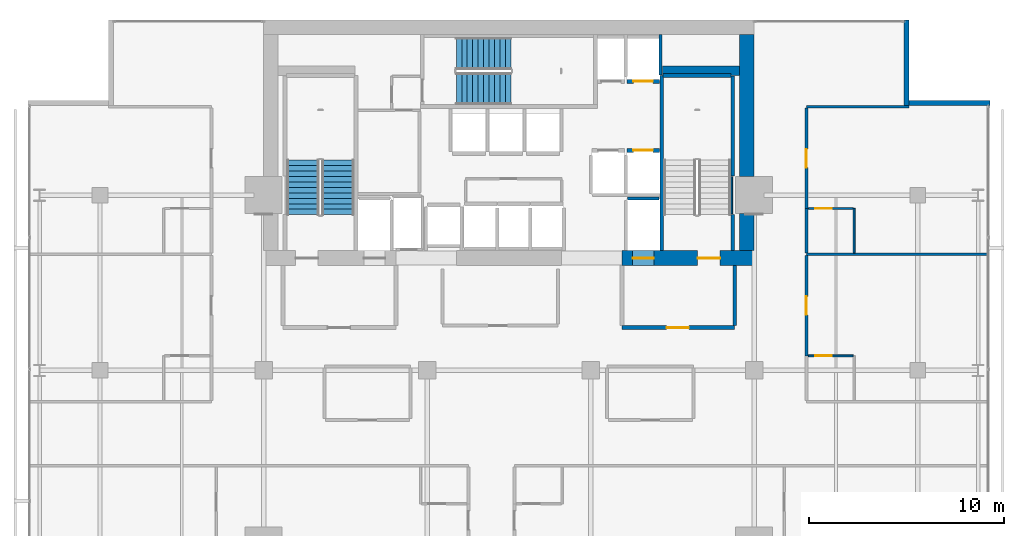
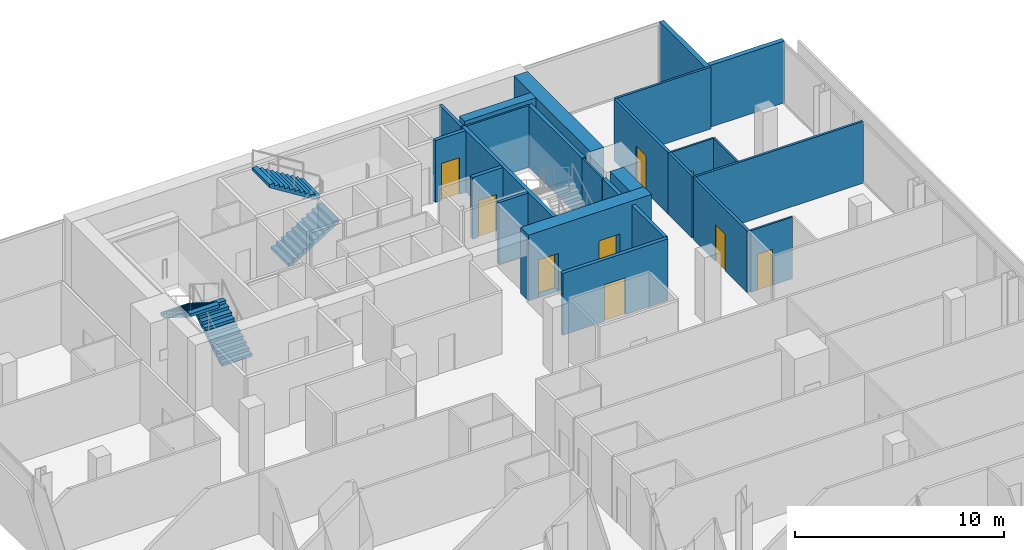
# One storey, part 31 of 34: 25 walls, 9 doors, 4 stair flights, 9 openings, 2 elements without a shape of their own.
"""IFC4 building model written with IfcOpenShell, lengths in metres."""

from ifc_helpers import new_model, si_unit, direction, frame, frame_2d, origin, place, context, subcontext, project, spatial, polyline, rectangle, outline, extrude, material, layer, layer_set, type_object, element, fill, aggregate, save


model = new_model("IFC4")

# Units and contexts
model_context = context("Model", 3, precision=1e-05, world=origin(), true_north=direction((0.0, 1.0)))
body_context = subcontext(model_context, "Body", "Model", "MODEL_VIEW")
ifc_project = project(units=[si_unit("LENGTHUNIT", "METRE"), si_unit("AREAUNIT", "SQUARE_METRE"), si_unit("VOLUMEUNIT", "CUBIC_METRE"), si_unit("PLANEANGLEUNIT", "RADIAN"), si_unit("MASSUNIT", "GRAM", prefix="KILO")], contexts=[model_context])

# Site, building, storey
site_placement = place(None, origin())
site = spatial("IfcSite", under=ifc_project, at=site_placement, CompositionType="ELEMENT")
building_placement = place(site_placement, origin())
building = spatial("IfcBuilding", under=site, at=building_placement, Name="Maruvema Waterfront Hotel and Observation Tower", CompositionType="ELEMENT")
storey_placement = place(building_placement, frame((0.0, 0.0, 185.14990234375)))
storey = spatial("IfcBuildingStorey", under=building, at=storey_placement, Name="L45", CompositionType="ELEMENT", Elevation=185.14990234375)

# Wall, opening, door
ifc_material_1 = material(Name="Twin-stud acoustic gypsum drywall", Category="gypsum")
ifc_layer_1 = layer(ifc_material_1, 0.14990234375, Name="Acoustic Corridor and Suite Demising Wall 150 mm")
ifc_layer_set_1 = layer_set([ifc_layer_1], Name="Twin-stud acoustic gypsum drywall")
wall_type_1 = type_object("IfcWallType", Name="Acoustic Corridor and Suite Demising Wall 150 mm", PredefinedType="PARTITIONING", material=ifc_layer_set_1)
wall_1_placement = place(storey_placement, frame((53.080078125, 36.75, 0.0), z_axis=(0.0, 0.0, 1.0), x_axis=(0.0, 1.0, 0.0)))
wall_1 = element("IfcWall", 1, at=wall_1_placement, inside=storey, type_object=wall_type_1, Name="L45 Room L45-NE1 Corridor Wall 117", PredefinedType="PARTITIONING", context=body_context, shape_type="SweptSolid", body=[
    extrude(rectangle(XDim=5.15869140625, YDim=0.14990234375, at=frame_2d((2.579345703125, 0.0))), origin(), (0.0, 0.0, 1.0), 3.610107421875),
])
opening_1_placement = place(wall_1_placement, frame((2.1044921875, 0.0, 0.0)))
opening_1 = element("IfcOpeningElement", 2, at=opening_1_placement, cuts=wall_1, Name="Opening DR-095", PredefinedType="OPENING", context=body_context, shape_type="SweptSolid", body=[
    extrude(rectangle(XDim=0.949951171875, YDim=2.14990234375, at=frame_2d((0.47509765625, 1.074951171875))), frame((0.0, 0.0849609375, 0.0), z_axis=(0.0, -1.0, 0.0), x_axis=(1.0, 0.0, 0.0)), (0.0, 0.0, 1.0), 0.169921875),
])
ifc_material_2 = material(Name="Acoustic solid-core hardwood timber leaf", Category="wood")
door_type_1 = type_object("IfcDoorType", Name="Guestroom Entrance Fire Door 950x2150 mm", OperationType="NOTDEFINED", PredefinedType="DOOR", material=ifc_material_2)
door_1_placement = place(opening_1_placement, frame((0.949951171875, 0.0, 0.0), z_axis=(0.0, 0.0, 1.0), x_axis=(-1.0, 0.0, 0.0)))
door_1 = element("IfcDoor", 3, at=door_1_placement, inside=storey, type_object=door_type_1, Name="L45 Room L45-NE1 Entrance Door", OperationType="SINGLE_SWING_RIGHT", OverallHeight=2.14990234375, OverallWidth=0.949951171875, PredefinedType="DOOR", context=body_context, shape_type="SweptSolid", body=[
    extrude(rectangle(XDim=0.949951171875, YDim=2.14990234375, at=frame_2d((0.47509765625, 1.074951171875))), frame((0.0, 0.02490234375, 0.0), z_axis=(0.0, -1.0, 0.0), x_axis=(1.0, 0.0, 0.0)), (0.0, 0.0, 1.0), 0.050048828125),
])
fill(opening_1, door_1)

# Wall
wall_2_placement = place(storey_placement, frame((53.080078125, 42.02880859375, 0.0), z_axis=(0.0, 0.0, 1.0), x_axis=(0.0, 1.0, 0.0)))
element("IfcWall", 4, at=wall_2_placement, inside=storey, type_object=wall_type_1, Name="L45 Bath L45-NE2 Wall 126", PredefinedType="PARTITIONING", context=body_context, shape_type="SweptSolid", body=[
    extrude(rectangle(XDim=2.2900390625, YDim=0.14990234375, at=frame_2d((1.14501953125, 0.0))), origin(), (0.0, 0.0, 1.0), 3.610107421875),
])

# Wall, opening, door
wall_3_placement = place(storey_placement, frame((53.080078125, 44.31884765625, 0.0), z_axis=(0.0, 0.0, 1.0), x_axis=(0.0, 1.0, 0.0)))
wall_3 = element("IfcWall", 5, at=wall_3_placement, inside=storey, type_object=wall_type_1, Name="L45 Room L45-NE2 Corridor Wall 127", PredefinedType="PARTITIONING", context=body_context, shape_type="SweptSolid", body=[
    extrude(rectangle(XDim=5.15869140625, YDim=0.14990234375, at=frame_2d((2.579345703125, 0.0))), origin(), (0.0, 0.0, 1.0), 3.610107421875),
])
opening_2_placement = place(wall_3_placement, frame((2.104248046875, 0.0, 0.0)))
opening_2 = element("IfcOpeningElement", 6, at=opening_2_placement, cuts=wall_3, Name="Opening DR-095", PredefinedType="OPENING", context=body_context, shape_type="SweptSolid", body=[
    extrude(rectangle(XDim=0.949951171875, YDim=2.14990234375, at=frame_2d((0.47509765625, 1.074951171875))), frame((0.0, 0.0849609375, 0.0), z_axis=(0.0, -1.0, 0.0), x_axis=(1.0, 0.0, 0.0)), (0.0, 0.0, 1.0), 0.169921875),
])
door_2_placement = place(opening_2_placement, frame((0.949951171875, 0.0, 0.0), z_axis=(0.0, 0.0, 1.0), x_axis=(-1.0, 0.0, 0.0)))
door_2 = element("IfcDoor", 7, at=door_2_placement, inside=storey, type_object=door_type_1, Name="L45 Room L45-NE2 Entrance Door", OperationType="SINGLE_SWING_RIGHT", OverallHeight=2.14990234375, OverallWidth=0.949951171875, PredefinedType="DOOR", context=body_context, shape_type="SweptSolid", body=[
    extrude(rectangle(XDim=0.949951171875, YDim=2.14990234375, at=frame_2d((0.47509765625, 1.074951171875))), frame((0.0, 0.02490234375, 0.0), z_axis=(0.0, -1.0, 0.0), x_axis=(1.0, 0.0, 0.0)), (0.0, 0.0, 1.0), 0.050048828125),
])
fill(opening_2, door_2)

# Walls
ifc_material_3 = material(Name="Precast concrete C45/55", Category="concrete")
ifc_layer_2 = layer(ifc_material_3, 0.199951171875, Name="Core Shaft and Stairwell Enclosure Wall 200 mm")
ifc_layer_set_2 = layer_set([ifc_layer_2], Name="Precast concrete C45/55")
wall_type_2 = type_object("IfcWallType", Name="Core Shaft and Stairwell Enclosure Wall 200 mm", PredefinedType="SOLIDWALL", material=ifc_layer_set_2)
wall_4_placement = place(storey_placement, frame((45.64990234375, 42.14990234375, 0.0), z_axis=(0.0, 0.0, 1.0), x_axis=(0.0, 1.0, 0.0)))
element("IfcWall", 8, at=wall_4_placement, inside=storey, type_object=wall_type_2, Name="L45 Stairwell ST-03 West Shaft Wall", PredefinedType="SOLIDWALL", context=body_context, shape_type="SweptSolid", body=[
    extrude(rectangle(XDim=9.0, YDim=0.199951171875, at=frame_2d((4.5, 0.0))), origin(), (0.0, 0.0, 1.0), 3.610107421875),
])
wall_5_placement = place(storey_placement, frame((49.300048828125, 42.14990234375, 0.0), z_axis=(0.0, 0.0, 1.0), x_axis=(0.0, 1.0, 0.0)))
element("IfcWall", 9, at=wall_5_placement, inside=storey, type_object=wall_type_2, Name="L45 Stairwell ST-03 Shaft Lining Wall", PredefinedType="SOLIDWALL", context=body_context, shape_type="SweptSolid", body=[
    extrude(rectangle(XDim=1.8701171875, YDim=0.199951171875, at=frame_2d((0.93505859375, 0.0))), origin(), (0.0, 0.0, 1.0), 3.610107421875),
])
wall_6_placement = place(storey_placement, frame((49.300048828125, 45.97998046875, 0.0), z_axis=(0.0, 0.0, 1.0), x_axis=(0.0, 1.0, 0.0)))
element("IfcWall", 10, at=wall_6_placement, inside=storey, type_object=wall_type_2, Name="L45 Stairwell ST-03 Shaft Lining Wall", PredefinedType="SOLIDWALL", context=body_context, shape_type="SweptSolid", body=[
    extrude(rectangle(XDim=5.14013671875, YDim=0.199951171875, at=frame_2d((2.570068359375, 0.0))), origin(), (0.0, 0.0, 1.0), 3.610107421875),
])
wall_7_placement = place(storey_placement, frame((45.719970703125, 51.14990234375, 0.0), z_axis=(0.0, 0.0, 1.0), x_axis=(1.0, 0.0, 0.0)))
element("IfcWall", 11, at=wall_7_placement, inside=storey, type_object=wall_type_2, Name="L45 Stairwell ST-03 Shaft Lining Wall", PredefinedType="SOLIDWALL", context=body_context, shape_type="SweptSolid", body=[
    extrude(rectangle(XDim=3.5, YDim=0.199951171875, at=frame_2d((1.75, 0.0))), origin(), (0.0, 0.0, 1.0), 3.610107421875),
])

# Wall, opening, door
wall_8_placement = place(storey_placement, frame((43.860107421875, 47.300048828125, 0.0), z_axis=(0.0, 0.0, 1.0), x_axis=(1.0, 0.0, 0.0)))
wall_8 = element("IfcWall", 12, at=wall_8_placement, inside=storey, type_object=wall_type_2, Name="L45 Lift LF-06 Hoistway Front Wall", PredefinedType="SOLIDWALL", context=body_context, shape_type="SweptSolid", body=[
    extrude(rectangle(XDim=1.679931640625, YDim=0.199951171875, at=frame_2d((0.83984375, 0.0))), origin(), (0.0, 0.0, 1.0), 3.610107421875),
])
opening_3_placement = place(wall_8_placement, frame((0.340087890625, 0.0, 0.0)))
opening_3 = element("IfcOpeningElement", 13, at=opening_3_placement, cuts=wall_8, Name="Opening LD-01", PredefinedType="OPENING", context=body_context, shape_type="SweptSolid", body=[
    extrude(rectangle(XDim=1.0, YDim=2.14990234375, at=frame_2d((0.5, 1.074951171875))), frame((0.0, 0.10986328125, 0.0), z_axis=(0.0, -1.0, 0.0), x_axis=(1.0, 0.0, 0.0)), (0.0, 0.0, 1.0), 0.219970703125),
])
ifc_material_4 = material(Name="Brushed stainless steel Grade 316", Category="steel")
door_type_2 = type_object("IfcDoorType", Name="Passenger Lift Sliding Landing Door 1000x2150 mm", OperationType="SLIDING_TO_LEFT", PredefinedType="DOOR", material=ifc_material_4)
door_3_placement = place(opening_3_placement, origin())
door_3 = element("IfcDoor", 14, at=door_3_placement, inside=storey, type_object=door_type_2, Name="L45 Lift LF-06 Sliding Landing Door", OperationType="SLIDING_TO_LEFT", OverallHeight=2.14990234375, OverallWidth=1.0, PredefinedType="DOOR", context=body_context, shape_type="SweptSolid", body=[
    extrude(rectangle(XDim=1.0, YDim=2.14990234375, at=frame_2d((0.5, 1.074951171875))), frame((0.0, 0.02490234375, 0.0), z_axis=(0.0, -1.0, 0.0), x_axis=(1.0, 0.0, 0.0)), (0.0, 0.0, 1.0), 0.050048828125),
])
fill(opening_3, door_3)

wall_9_placement = place(storey_placement, frame((43.860107421875, 50.85009765625, 0.0), z_axis=(0.0, 0.0, 1.0), x_axis=(1.0, 0.0, 0.0)))
wall_9 = element("IfcWall", 15, at=wall_9_placement, inside=storey, type_object=wall_type_2, Name="L45 Lift LF-08 Hoistway Front Wall", PredefinedType="SOLIDWALL", context=body_context, shape_type="SweptSolid", body=[
    extrude(rectangle(XDim=1.679931640625, YDim=0.199951171875, at=frame_2d((0.83984375, 0.0))), origin(), (0.0, 0.0, 1.0), 3.610107421875),
])
opening_4_placement = place(wall_9_placement, frame((0.340087890625, 0.0, 0.0)))
opening_4 = element("IfcOpeningElement", 16, at=opening_4_placement, cuts=wall_9, Name="Opening LD-01", PredefinedType="OPENING", context=body_context, shape_type="SweptSolid", body=[
    extrude(rectangle(XDim=1.0, YDim=2.14990234375, at=frame_2d((0.5, 1.074951171875))), frame((0.0, 0.10986328125, 0.0), z_axis=(0.0, -1.0, 0.0), x_axis=(1.0, 0.0, 0.0)), (0.0, 0.0, 1.0), 0.219970703125),
])
door_4_placement = place(opening_4_placement, frame((1.0, 0.0, 0.0), z_axis=(0.0, 0.0, 1.0), x_axis=(-1.0, 0.0, 0.0)))
door_4 = element("IfcDoor", 17, at=door_4_placement, inside=storey, type_object=door_type_2, Name="L45 Lift LF-08 Sliding Landing Door", OperationType="SLIDING_TO_LEFT", OverallHeight=2.14990234375, OverallWidth=1.0, PredefinedType="DOOR", context=body_context, shape_type="SweptSolid", body=[
    extrude(rectangle(XDim=1.0, YDim=2.14990234375, at=frame_2d((0.5, 1.074951171875))), frame((0.0, 0.02490234375, 0.0), z_axis=(0.0, -1.0, 0.0), x_axis=(1.0, 0.0, 0.0)), (0.0, 0.0, 1.0), 0.050048828125),
])
fill(opening_4, door_4)

# Wall
ifc_material_5 = material(Name="Concrete C70/85", Category="concrete")
ifc_layer_3 = layer(ifc_material_5, 0.5, Name="Core Shear Wall 500 mm")
ifc_layer_set_3 = layer_set([ifc_layer_3], Name="Concrete C70/85")
wall_type_3 = type_object("IfcWallType", Name="Core Shear Wall 500 mm", PredefinedType="SHEAR", material=ifc_layer_set_3)
wall_10_placement = place(storey_placement, frame((45.699951171875, 51.39990234375, 0.0), z_axis=(0.0, 0.0, 1.0), x_axis=(1.0, 0.0, 0.0)))
element("IfcWall", 18, at=wall_10_placement, inside=storey, type_object=wall_type_3, Name="L45 Internal Core Shear Wall NE 500 mm", PredefinedType="SHEAR", context=body_context, shape_type="SweptSolid", body=[
    extrude(rectangle(XDim=3.949951171875, YDim=0.5, at=frame_2d((1.97509765625, 0.0))), origin(), (0.0, 0.0, 1.0), 3.85009765625),
])

# Wall, openings, doors
ifc_material_6 = material(Name="Concrete C70/85", Category="concrete")
ifc_layer_4 = layer(ifc_material_6, 0.75, Name="Core Shear Wall 750 mm")
ifc_layer_set_4 = layer_set([ifc_layer_4], Name="Concrete C70/85")
wall_type_4 = type_object("IfcWallType", Name="Core Shear Wall 750 mm", PredefinedType="SHEAR", material=ifc_layer_set_4)
wall_11_placement = place(storey_placement, frame((43.60009765625, 41.77490234375, 0.0), z_axis=(0.0, 0.0, 1.0), x_axis=(1.0, 0.0, 0.0)))
wall_11 = element("IfcWall", 19, at=wall_11_placement, inside=storey, type_object=wall_type_4, Name="L45 South-East Core Shear Wall", PredefinedType="SHEAR", context=body_context, shape_type="SweptSolid", body=[
    extrude(rectangle(XDim=6.7998046875, YDim=0.75, at=frame_2d((3.39990234375, 0.0))), origin(), (0.0, 0.0, 1.0), 3.85009765625),
])
opening_5_placement = place(wall_11_placement, frame((3.89990234375, 0.0, 0.0)))
opening_5 = element("IfcOpeningElement", 20, at=opening_5_placement, cuts=wall_11, Name="Opening SD-01", PredefinedType="OPENING", context=body_context, shape_type="SweptSolid", body=[
    extrude(rectangle(XDim=1.14990234375, YDim=2.14990234375, at=frame_2d((0.574951171875, 1.074951171875))), frame((0.0, 0.385009765625, 0.0), z_axis=(0.0, -1.0, 0.0), x_axis=(1.0, 0.0, 0.0)), (0.0, 0.0, 1.0), 0.77001953125),
])
opening_6_placement = place(wall_11_placement, frame((0.550048828125, 0.0, 0.0)))
opening_6 = element("IfcOpeningElement", 21, at=opening_6_placement, cuts=wall_11, Name="Opening LD-03", PredefinedType="OPENING", context=body_context, shape_type="SweptSolid", body=[
    extrude(rectangle(XDim=1.10009765625, YDim=2.199951171875, at=frame_2d((0.550048828125, 1.10009765625))), frame((0.0, 0.385009765625, 0.0), z_axis=(0.0, -1.0, 0.0), x_axis=(1.0, 0.0, 0.0)), (0.0, 0.0, 1.0), 0.77001953125),
])
ifc_material_7 = material(Name="Fire-rated galvanised steel leaf", Category="steel")
door_type_3 = type_object("IfcDoorType", Name="Exit Stair Fire Door 1150x2150 mm", OperationType="NOTDEFINED", PredefinedType="DOOR", material=ifc_material_7)
door_5_placement = place(opening_5_placement, origin())
door_5 = element("IfcDoor", 22, at=door_5_placement, inside=storey, type_object=door_type_3, Name="L45 Exit Stair ST-03 Fire Door", OperationType="SINGLE_SWING_RIGHT", OverallHeight=2.14990234375, OverallWidth=1.14990234375, PredefinedType="DOOR", context=body_context, shape_type="SweptSolid", body=[
    extrude(rectangle(XDim=1.14990234375, YDim=2.14990234375, at=frame_2d((0.574951171875, 1.074951171875))), frame((0.0, 0.02490234375, 0.0), z_axis=(0.0, -1.0, 0.0), x_axis=(1.0, 0.0, 0.0)), (0.0, 0.0, 1.0), 0.050048828125),
])
fill(opening_5, door_5)
ifc_material_8 = material(Name="Brushed stainless steel Grade 316", Category="steel")
door_type_4 = type_object("IfcDoorType", Name="Firefighting Lift Sliding Landing Door 1100x2200 mm", OperationType="SLIDING_TO_LEFT", PredefinedType="DOOR", material=ifc_material_8)
door_6_placement = place(opening_6_placement, frame((1.10009765625, 0.0, 0.0), z_axis=(0.0, 0.0, 1.0), x_axis=(-1.0, 0.0, 0.0)))
door_6 = element("IfcDoor", 23, at=door_6_placement, inside=storey, type_object=door_type_4, Name="L45 Firefighting Lift FL-02 Landing Door", OperationType="SLIDING_TO_LEFT", OverallHeight=2.199951171875, OverallWidth=1.10009765625, PredefinedType="DOOR", context=body_context, shape_type="SweptSolid", body=[
    extrude(rectangle(XDim=1.10009765625, YDim=2.199951171875, at=frame_2d((0.550048828125, 1.10009765625))), frame((0.0, 0.02490234375, 0.0), z_axis=(0.0, -1.0, 0.0), x_axis=(1.0, 0.0, 0.0)), (0.0, 0.0, 1.0), 0.050048828125),
])
fill(opening_6, door_6)

# Walls
wall_12_placement = place(storey_placement, frame((50.02490234375, 42.14990234375, 0.0), z_axis=(0.0, 0.0, 1.0), x_axis=(0.0, 1.0, 0.0)))
element("IfcWall", 24, at=wall_12_placement, inside=storey, type_object=wall_type_4, Name="L45 East-South Core Shear Wall", PredefinedType="SHEAR", context=body_context, shape_type="SweptSolid", body=[
    extrude(rectangle(XDim=1.900146484375, YDim=0.75, at=frame_2d((0.9501953125, 0.0))), origin(), (0.0, 0.0, 1.0), 3.85009765625),
])
wall_13_placement = place(storey_placement, frame((50.02490234375, 45.949951171875, 0.0), z_axis=(0.0, 0.0, 1.0), x_axis=(0.0, 1.0, 0.0)))
element("IfcWall", 25, at=wall_13_placement, inside=storey, type_object=wall_type_4, Name="L45 East-North Core Shear Wall", PredefinedType="SHEAR", context=body_context, shape_type="SweptSolid", body=[
    extrude(rectangle(XDim=7.300048828125, YDim=0.75, at=frame_2d((3.64990234375, 0.0))), origin(), (0.0, 0.0, 1.0), 3.85009765625),
])

# Wall, opening, door
ifc_material_9 = material(Name="Moisture-resistant cement-board drywall", Category="gypsum")
ifc_layer_5 = layer(ifc_material_9, 0.10009765625, Name="En-Suite Moisture-Resistant Partition 100 mm")
ifc_layer_set_5 = layer_set([ifc_layer_5], Name="Moisture-resistant cement-board drywall")
wall_type_5 = type_object("IfcWallType", Name="En-Suite Moisture-Resistant Partition 100 mm", PredefinedType="PARTITIONING", material=ifc_layer_set_5)
wall_14_placement = place(storey_placement, frame((53.179931640625, 36.75, 0.0), z_axis=(0.0, 0.0, 1.0), x_axis=(1.0, 0.0, 0.0)))
wall_14 = element("IfcWall", 26, at=wall_14_placement, inside=storey, type_object=wall_type_5, Name="L45 En-Suite L45-NE1 N 119", PredefinedType="PARTITIONING", context=body_context, shape_type="SweptSolid", body=[
    extrude(rectangle(XDim=2.300048828125, YDim=0.10009765625, at=frame_2d((1.14990234375, 0.0))), origin(), (0.0, 0.0, 1.0), 3.610107421875),
])
opening_7_placement = place(wall_14_placement, frame((0.35009765625, 0.0, 0.0)))
opening_7 = element("IfcOpeningElement", 27, at=opening_7_placement, cuts=wall_14, Name="Opening DR-085", PredefinedType="OPENING", context=body_context, shape_type="SweptSolid", body=[
    extrude(rectangle(XDim=0.85009765625, YDim=2.10009765625, at=frame_2d((0.425048828125, 1.050048828125))), frame((0.0, 0.06005859375, 0.0), z_axis=(0.0, -1.0, 0.0), x_axis=(1.0, 0.0, 0.0)), (0.0, 0.0, 1.0), 0.1201171875),
])
ifc_material_10 = material(Name="Moisture-resistant solid timber leaf", Category="wood")
door_type_5 = type_object("IfcDoorType", Name="En-Suite Bathroom Door 850x2100 mm", OperationType="NOTDEFINED", PredefinedType="DOOR", material=ifc_material_10)
door_7_placement = place(opening_7_placement, origin())
door_7 = element("IfcDoor", 28, at=door_7_placement, inside=storey, type_object=door_type_5, Name="L45 En-Suite L45-NE1 Door", OperationType="SINGLE_SWING_LEFT", OverallHeight=2.10009765625, OverallWidth=0.85009765625, PredefinedType="DOOR", context=body_context, shape_type="SweptSolid", body=[
    extrude(rectangle(XDim=0.85009765625, YDim=2.10009765625, at=frame_2d((0.425048828125, 1.050048828125))), frame((0.0, 0.02490234375, 0.0), z_axis=(0.0, -1.0, 0.0), x_axis=(1.0, 0.0, 0.0)), (0.0, 0.0, 1.0), 0.050048828125),
])
fill(opening_7, door_7)

# Wall
wall_15_placement = place(storey_placement, frame((55.530029296875, 42.02880859375, 0.0), z_axis=(0.0, 0.0, 1.0), x_axis=(0.0, 1.0, 0.0)))
element("IfcWall", 29, at=wall_15_placement, inside=storey, type_object=wall_type_5, Name="L45 En-Suite L45-NE2 E 128", PredefinedType="PARTITIONING", context=body_context, shape_type="SweptSolid", body=[
    extrude(rectangle(XDim=2.2900390625, YDim=0.10009765625, at=frame_2d((1.14501953125, 0.0))), origin(), (0.0, 0.0, 1.0), 3.610107421875),
])

# Wall, opening, door
wall_16_placement = place(storey_placement, frame((53.179931640625, 44.31884765625, 0.0), z_axis=(0.0, 0.0, 1.0), x_axis=(1.0, 0.0, 0.0)))
wall_16 = element("IfcWall", 30, at=wall_16_placement, inside=storey, type_object=wall_type_5, Name="L45 En-Suite L45-NE2 N 129", PredefinedType="PARTITIONING", context=body_context, shape_type="SweptSolid", body=[
    extrude(rectangle(XDim=2.300048828125, YDim=0.10009765625, at=frame_2d((1.14990234375, 0.0))), origin(), (0.0, 0.0, 1.0), 3.610107421875),
])
opening_8_placement = place(wall_16_placement, frame((0.35009765625, 0.0, 0.0)))
opening_8 = element("IfcOpeningElement", 31, at=opening_8_placement, cuts=wall_16, Name="Opening DR-085", PredefinedType="OPENING", context=body_context, shape_type="SweptSolid", body=[
    extrude(rectangle(XDim=0.85009765625, YDim=2.10009765625, at=frame_2d((0.425048828125, 1.050048828125))), frame((0.0, 0.06005859375, 0.0), z_axis=(0.0, -1.0, 0.0), x_axis=(1.0, 0.0, 0.0)), (0.0, 0.0, 1.0), 0.1201171875),
])
door_8_placement = place(opening_8_placement, origin())
door_8 = element("IfcDoor", 32, at=door_8_placement, inside=storey, type_object=door_type_5, Name="L45 En-Suite L45-NE2 Door", OperationType="SINGLE_SWING_LEFT", OverallHeight=2.10009765625, OverallWidth=0.85009765625, PredefinedType="DOOR", context=body_context, shape_type="SweptSolid", body=[
    extrude(rectangle(XDim=0.85009765625, YDim=2.10009765625, at=frame_2d((0.425048828125, 1.050048828125))), frame((0.0, 0.02490234375, 0.0), z_axis=(0.0, -1.0, 0.0), x_axis=(1.0, 0.0, 0.0)), (0.0, 0.0, 1.0), 0.050048828125),
])
fill(opening_8, door_8)

# Walls
ifc_material_11 = material(Name="Precast concrete C45/55 with honed Pernambuco granite facing", Category="masonry")
ifc_layer_6 = layer(ifc_material_11, 0.260009765625, Name="Exterior Granite Clad Spandrel and Pier Wall 260 mm")
ifc_layer_set_6 = layer_set([ifc_layer_6], Name="Precast concrete C45/55 with honed Pernambuco granite facing")
wall_type_6 = type_object("IfcWallType", Name="Exterior Granite Clad Spandrel and Pier Wall 260 mm", PredefinedType="SOLIDWALL", material=ifc_layer_set_6)
for number, where, z_axis, x_axis, name in (
    (33, (58.22998046875, 54.0, 0.0), (0.0, 0.0, 1.0), (0.0, -1.0, 0.0), "L45 Corner Notch Granite Pier Wall NE1"),
    (34, (58.10009765625, 49.72998046875, 0.0), (0.0, 0.0, 1.0), (1.0, 0.0, 0.0), "L45 Corner Notch Granite Pier Wall NE2"),
):
    element("IfcWall", number, at=place(storey_placement, frame(where, z_axis=z_axis, x_axis=x_axis)), inside=storey, type_object=wall_type_6, Name=name, PredefinedType="SOLIDWALL", context=body_context, shape_type="SweptSolid", body=[
        extrude(rectangle(XDim=4.39990234375, YDim=0.260009765625, at=frame_2d((2.199951171875, 0.0))), origin(), (0.0, 0.0, 1.0), 3.610107421875),
    ])

# Wall, opening, door
ifc_material_12 = material(Name="Autoclaved cellular concrete blockwork", Category="masonry")
ifc_layer_7 = layer(ifc_material_12, 0.199951171875, Name="Fire Compartment Masonry Wall 200 mm")
ifc_layer_set_7 = layer_set([ifc_layer_7], Name="Autoclaved cellular concrete blockwork")
wall_type_7 = type_object("IfcWallType", Name="Fire Compartment Masonry Wall 200 mm", PredefinedType="PARTITIONING", material=ifc_layer_set_7)
wall_17_placement = place(storey_placement, frame((43.60009765625, 38.199951171875, 0.0), z_axis=(0.0, 0.0, 1.0), x_axis=(1.0, 0.0, 0.0)))
wall_17 = element("IfcWall", 35, at=wall_17_placement, inside=storey, type_object=wall_type_7, Name="L45 FFL East South Wall 004", PredefinedType="PARTITIONING", context=body_context, shape_type="SweptSolid", body=[
    extrude(rectangle(XDim=5.7998046875, YDim=0.199951171875, at=frame_2d((2.89990234375, 0.0))), origin(), (0.0, 0.0, 1.0), 3.610107421875),
])
opening_9_placement = place(wall_17_placement, frame((2.300048828125, 0.0, 0.0)))
opening_9 = element("IfcOpeningElement", 36, at=opening_9_placement, cuts=wall_17, Name="Opening FD-115", PredefinedType="OPENING", context=body_context, shape_type="SweptSolid", body=[
    extrude(rectangle(XDim=1.14990234375, YDim=2.14990234375, at=frame_2d((0.574951171875, 1.074951171875))), frame((0.0, 0.10986328125, 0.0), z_axis=(0.0, -1.0, 0.0), x_axis=(1.0, 0.0, 0.0)), (0.0, 0.0, 1.0), 0.219970703125),
])
ifc_material_13 = material(Name="Fire-rated galvanised steel and vision glass", Category="steel")
door_type_6 = type_object("IfcDoorType", Name="Firefighting Lobby Fire Door 1150x2150 mm", OperationType="NOTDEFINED", PredefinedType="DOOR", material=ifc_material_13)
door_9_placement = place(opening_9_placement, frame((1.14990234375, 0.0, 0.0), z_axis=(0.0, 0.0, 1.0), x_axis=(-1.0, 0.0, 0.0)))
door_9 = element("IfcDoor", 37, at=door_9_placement, inside=storey, type_object=door_type_6, Name="L45 Firefighting Lobby East Door", OperationType="SINGLE_SWING_LEFT", OverallHeight=2.14990234375, OverallWidth=1.14990234375, PredefinedType="DOOR", context=body_context, shape_type="SweptSolid", body=[
    extrude(rectangle(XDim=1.14990234375, YDim=2.14990234375, at=frame_2d((0.574951171875, 1.074951171875))), frame((0.0, 0.02490234375, 0.0), z_axis=(0.0, -1.0, 0.0), x_axis=(1.0, 0.0, 0.0)), (0.0, 0.0, 1.0), 0.050048828125),
])
fill(opening_9, door_9)

# Walls
wall_18_placement = place(storey_placement, frame((49.39990234375, 38.31005859375, 0.0), z_axis=(0.0, 0.0, 1.0), x_axis=(0.0, 1.0, 0.0)))
element("IfcWall", 38, at=wall_18_placement, inside=storey, type_object=wall_type_7, Name="L45 FFL East East Wall 006", PredefinedType="PARTITIONING", context=body_context, shape_type="SweptSolid", body=[
    extrude(rectangle(XDim=3.06982421875, YDim=0.199951171875, at=frame_2d((1.534912109375, 0.0))), origin(), (0.0, 0.0, 1.0), 3.610107421875),
])
ifc_material_14 = material(Name="Acoustic gypsum plasterboard drywall", Category="gypsum")
ifc_layer_8 = layer(ifc_material_14, 0.125, Name="Guestroom Acoustic Demising Wall 125 mm")
ifc_layer_set_8 = layer_set([ifc_layer_8], Name="Acoustic gypsum plasterboard drywall")
wall_type_8 = type_object("IfcWallType", Name="Guestroom Acoustic Demising Wall 125 mm", PredefinedType="PARTITIONING", material=ifc_layer_set_8)
wall_19_placement = place(storey_placement, frame((53.080078125, 49.53759765625, 0.0), z_axis=(0.0, 0.0, 1.0), x_axis=(1.0, 0.0, 0.0)))
element("IfcWall", 39, at=wall_19_placement, inside=storey, type_object=wall_type_8, Name="L45 Z2 NE Top End 111", PredefinedType="PARTITIONING", context=body_context, shape_type="SweptSolid", body=[
    extrude(rectangle(XDim=5.280029296875, YDim=0.125, at=frame_2d((2.64013671875, 0.0))), origin(), (0.0, 0.0, 1.0), 3.610107421875),
])
wall_20_placement = place(storey_placement, frame((53.080078125, 41.96875, 0.0), z_axis=(0.0, 0.0, 1.0), x_axis=(1.0, 0.0, 0.0)))
element("IfcWall", 40, at=wall_20_placement, inside=storey, type_object=wall_type_8, Name="L45 Z2 NE Demising 2 121", PredefinedType="PARTITIONING", context=body_context, shape_type="SweptSolid", body=[
    extrude(rectangle(XDim=9.31982421875, YDim=0.125, at=frame_2d((4.659912109375, 0.0))), origin(), (0.0, 0.0, 1.0), 3.610107421875),
])
ifc_material_15 = material(Name="Precast concrete C45/55", Category="concrete")
ifc_layer_9 = layer(ifc_material_15, 0.159912109375, Name="Lift Hoistway Divider Wall 160 mm")
ifc_layer_set_9 = layer_set([ifc_layer_9], Name="Precast concrete C45/55")
wall_type_9 = type_object("IfcWallType", Name="Lift Hoistway Divider Wall 160 mm", PredefinedType="SOLIDWALL", material=ifc_layer_set_9)
wall_21_placement = place(storey_placement, frame((43.89990234375, 44.830078125, 0.0), z_axis=(0.0, 0.0, 1.0), x_axis=(1.0, 0.0, 0.0)))
element("IfcWall", 41, at=wall_21_placement, inside=storey, type_object=wall_type_9, Name="L45 Lift FL-02 Rear Hoistway Wall", PredefinedType="SOLIDWALL", context=body_context, shape_type="SweptSolid", body=[
    extrude(rectangle(XDim=1.60009765625, YDim=0.159912109375, at=frame_2d((0.800048828125, 0.0))), origin(), (0.0, 0.0, 1.0), 3.610107421875),
])
wall_22_placement = place(storey_placement, frame((45.590087890625, 51.179931640625, 0.0), z_axis=(0.0, 0.0, 1.0), x_axis=(0.0, 1.0, 0.0)))
element("IfcWall", 42, at=wall_22_placement, inside=storey, type_object=wall_type_9, Name="L45 Hoistway Divider Wall", PredefinedType="SOLIDWALL", context=body_context, shape_type="SweptSolid", body=[
    extrude(rectangle(XDim=2.070068359375, YDim=0.159912109375, at=frame_2d((1.03515625, 0.0))), origin(), (0.0, 0.0, 1.0), 3.610107421875),
])
ifc_material_16 = material(Name="Precast concrete C45/55", Category="concrete")
ifc_layer_10 = layer(ifc_material_16, 0.10009765625, Name="Stairwell Stringer Cheek Wall 100 mm")
ifc_layer_set_10 = layer_set([ifc_layer_10], Name="Precast concrete C45/55")
wall_type_10 = type_object("IfcWallType", Name="Stairwell Stringer Cheek Wall 100 mm", PredefinedType="SOLIDWALL", material=ifc_layer_set_10)
wall_23_placement = place(storey_placement, frame((49.248046875, 44.0400390625, 0.0), z_axis=(0.0, 0.0, 1.0), x_axis=(0.0, 1.0, 0.0)))
element("IfcWall", 43, at=wall_23_placement, inside=storey, type_object=wall_type_10, Name="L45 Stairwell ST-03 Mega-Column Cheek Wall", PredefinedType="SOLIDWALL", context=body_context, shape_type="SweptSolid", body=[
    extrude(rectangle(XDim=1.919921875, YDim=0.10009765625, at=frame_2d((0.9599609375, 0.0))), origin(), (0.0, 0.0, 1.0), 3.610107421875),
])

# Stair, stair flights
ifc_material_17 = material(Name="Concrete C50/60", Category="concrete")
stair_type = type_object("IfcStairType", Name="Dogleg Exit Stair 1650 mm (22R x 175.0 mm)", PredefinedType="HALF_TURN_STAIR", material=ifc_material_17)
stair_1_placement = place(storey_placement, origin())
stair_1 = element("IfcStair", 44, at=stair_1_placement, inside=storey, type_object=stair_type, Name="L45 ST-01", PredefinedType="HALF_TURN_STAIR")
ifc_material_18 = material(Name="Concrete C50/60", Category="concrete")
stair_flight_type = type_object("IfcStairFlightType", Name="Reinforced Concrete Stair Flight 1650 mm (11R x 175.0 mm)", PredefinedType="STRAIGHT", material=ifc_material_18)
stair_flight_1_placement = place(storey_placement, frame((29.02490234375, 44.0, 0.0), z_axis=(0.0, 0.0, 1.0), x_axis=(0.0, 1.0, 0.0)))
stair_flight_1 = element("IfcStairFlight", 45, at=stair_flight_1_placement, type_object=stair_flight_type, Name="ST-01 flight 1", NumberOfRisers=11, NumberOfTreads=10, PredefinedType="STRAIGHT", RiserHeight=0.175, TreadLength=0.28, context=body_context, shape_type="SweptSolid", body=[
    extrude(outline(polyline([(0.0, 0.0), (0.0, 0.175048828125), (0.280029296875, 0.175048828125), (0.280029296875, 0.35009765625), (0.56005859375, 0.35009765625), (0.56005859375, 0.52490234375), (0.840087890625, 0.52490234375), (0.840087890625, 0.699951171875), (1.1201171875, 0.699951171875), (1.1201171875, 0.875), (1.39990234375, 0.875), (1.39990234375, 1.050048828125), (1.679931640625, 1.050048828125), (1.679931640625, 1.22509765625), (1.9599609375, 1.22509765625), (1.9599609375, 1.39990234375), (2.239990234375, 1.39990234375), (2.239990234375, 1.574951171875), (2.52001953125, 1.574951171875), (2.52001953125, 1.75), (2.800048828125, 1.75), (2.800048828125, 1.925048828125), (2.800048828125, 1.5732421875), (0.28271484375, 0.0), (0.0, 0.0)])), frame((0.0, 0.824951171875, 0.0), z_axis=(0.0, -1.0, 0.0), x_axis=(1.0, 0.0, 0.0)), (0.0, 0.0, 1.0), 1.64990234375),
])
stair_flight_2_placement = place(storey_placement, frame((27.22509765625, 46.800048828125, 1.925048828125), z_axis=(0.0, 0.0, 1.0), x_axis=(0.0, -1.0, 0.0)))
stair_flight_2 = element("IfcStairFlight", 46, at=stair_flight_2_placement, type_object=stair_flight_type, Name="ST-01 flight 2", NumberOfRisers=11, NumberOfTreads=10, PredefinedType="STRAIGHT", RiserHeight=0.175, TreadLength=0.28, context=body_context, shape_type="SweptSolid", body=[
    extrude(outline(polyline([(0.0, 0.0), (0.0, 0.175048828125), (0.280029296875, 0.175048828125), (0.280029296875, 0.35009765625), (0.56005859375, 0.35009765625), (0.56005859375, 0.52490234375), (0.840087890625, 0.52490234375), (0.840087890625, 0.699951171875), (1.1201171875, 0.699951171875), (1.1201171875, 0.875), (1.39990234375, 0.875), (1.39990234375, 1.050048828125), (1.679931640625, 1.050048828125), (1.679931640625, 1.22509765625), (1.9599609375, 1.22509765625), (1.9599609375, 1.39990234375), (2.239990234375, 1.39990234375), (2.239990234375, 1.574951171875), (2.52001953125, 1.574951171875), (2.52001953125, 1.75), (2.800048828125, 1.75), (2.800048828125, 1.925048828125), (2.800048828125, 1.5732421875), (0.28271484375, 0.0), (0.0, 0.0)])), frame((0.0, 0.824951171875, 0.0), z_axis=(0.0, -1.0, 0.0), x_axis=(1.0, 0.0, 0.0)), (0.0, 0.0, 1.0), 1.64990234375),
])
aggregate(stair_1, [stair_flight_1, stair_flight_2])

stair_2_placement = place(storey_placement, origin())
stair_2 = element("IfcStair", 47, at=stair_2_placement, inside=storey, type_object=stair_type, Name="L45 ST-02", PredefinedType="HALF_TURN_STAIR")
stair_flight_3_placement = place(storey_placement, frame((35.10009765625, 50.47509765625, 0.0), z_axis=(0.0, 0.0, 1.0), x_axis=(1.0, 0.0, 0.0)))
stair_flight_3 = element("IfcStairFlight", 48, at=stair_flight_3_placement, type_object=stair_flight_type, Name="ST-02 flight 1", NumberOfRisers=11, NumberOfTreads=10, PredefinedType="STRAIGHT", RiserHeight=0.175, TreadLength=0.28, context=body_context, shape_type="SweptSolid", body=[
    extrude(outline(polyline([(0.0, 0.0), (0.0, 0.175048828125), (0.280029296875, 0.175048828125), (0.280029296875, 0.35009765625), (0.56005859375, 0.35009765625), (0.56005859375, 0.52490234375), (0.840087890625, 0.52490234375), (0.840087890625, 0.699951171875), (1.1201171875, 0.699951171875), (1.1201171875, 0.875), (1.39990234375, 0.875), (1.39990234375, 1.050048828125), (1.679931640625, 1.050048828125), (1.679931640625, 1.22509765625), (1.9599609375, 1.22509765625), (1.9599609375, 1.39990234375), (2.239990234375, 1.39990234375), (2.239990234375, 1.574951171875), (2.52001953125, 1.574951171875), (2.52001953125, 1.75), (2.800048828125, 1.75), (2.800048828125, 1.925048828125), (2.800048828125, 1.5732421875), (0.28271484375, 0.0), (0.0, 0.0)])), frame((0.0, 0.824951171875, 0.0), z_axis=(0.0, -1.0, 0.0), x_axis=(1.0, 0.0, 0.0)), (0.0, 0.0, 1.0), 1.64990234375),
])
stair_flight_4_placement = place(storey_placement, frame((37.89990234375, 52.27490234375, 1.925048828125), z_axis=(0.0, 0.0, 1.0), x_axis=(-1.0, 0.0, 0.0)))
stair_flight_4 = element("IfcStairFlight", 49, at=stair_flight_4_placement, type_object=stair_flight_type, Name="ST-02 flight 2", NumberOfRisers=11, NumberOfTreads=10, PredefinedType="STRAIGHT", RiserHeight=0.175, TreadLength=0.28, context=body_context, shape_type="SweptSolid", body=[
    extrude(outline(polyline([(0.0, 0.0), (0.0, 0.175048828125), (0.280029296875, 0.175048828125), (0.280029296875, 0.35009765625), (0.56005859375, 0.35009765625), (0.56005859375, 0.52490234375), (0.840087890625, 0.52490234375), (0.840087890625, 0.699951171875), (1.1201171875, 0.699951171875), (1.1201171875, 0.875), (1.39990234375, 0.875), (1.39990234375, 1.050048828125), (1.679931640625, 1.050048828125), (1.679931640625, 1.22509765625), (1.9599609375, 1.22509765625), (1.9599609375, 1.39990234375), (2.239990234375, 1.39990234375), (2.239990234375, 1.574951171875), (2.52001953125, 1.574951171875), (2.52001953125, 1.75), (2.800048828125, 1.75), (2.800048828125, 1.925048828125), (2.800048828125, 1.5732421875), (0.28271484375, 0.0), (0.0, 0.0)])), frame((0.0, 0.824951171875, 0.0), z_axis=(0.0, -1.0, 0.0), x_axis=(1.0, 0.0, 0.0)), (0.0, 0.0, 1.0), 1.64990234375),
])
aggregate(stair_2, [stair_flight_3, stair_flight_4])

save(model, "model.ifc")
